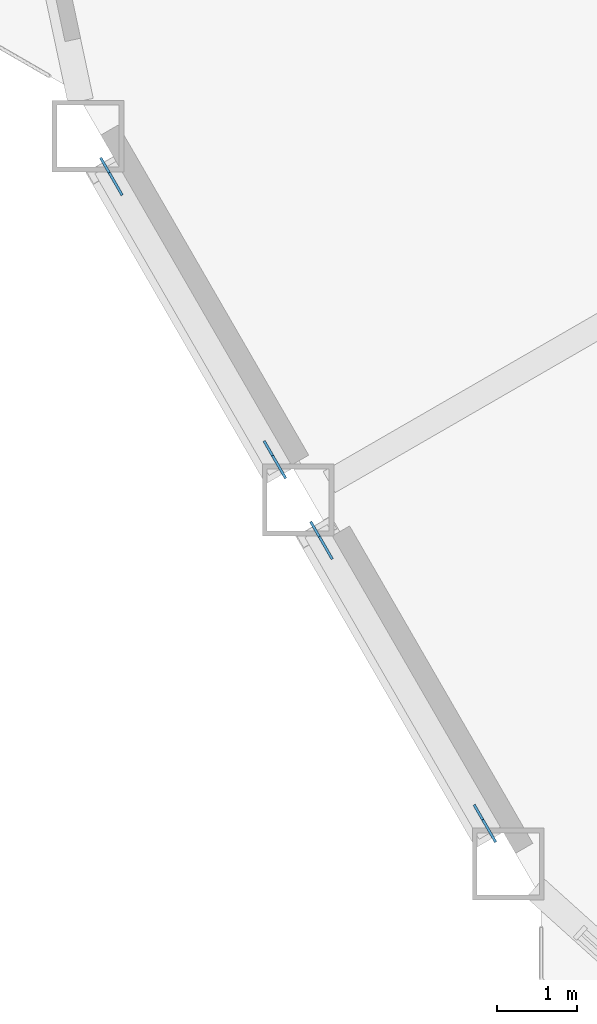
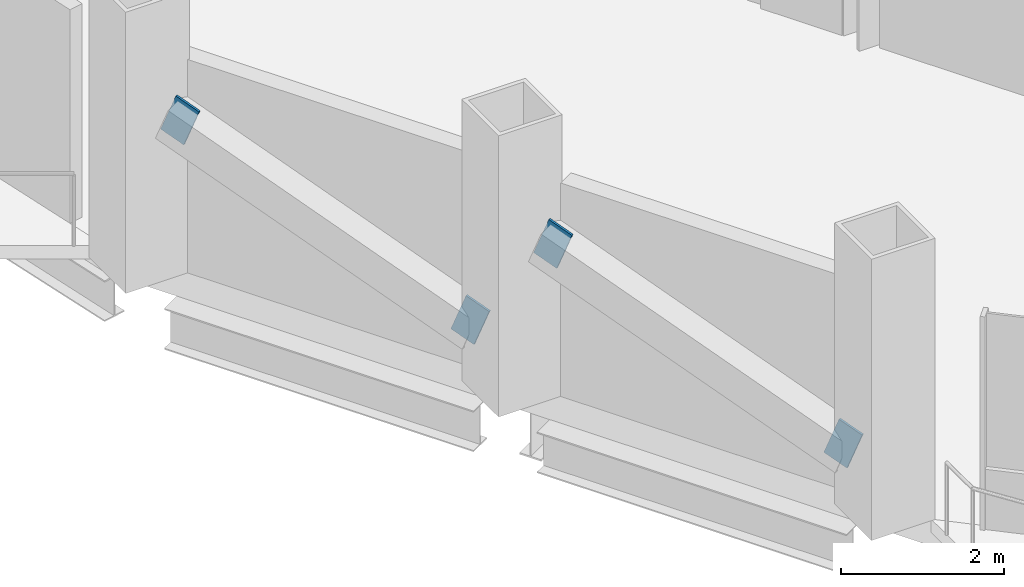
# One storey, part 14 of 21: 4 discrete accessories.
"""IFC4 building model written with IfcOpenShell, lengths in metres."""

from ifc_helpers import new_model, si_unit, direction, frame, origin, origin_2d, place, context, subcontext, project, spatial, rectangle, extrude, material, material_profile, profile_set, type_object, element, save


model = new_model("IFC4")

# Units and contexts
model_context = context("Model", 3, precision=1e-05, world=origin(), true_north=direction((0.0, 1.0)))
body_context = subcontext(model_context, "Body", "Model", "MODEL_VIEW")
ifc_project = project(units=[si_unit("LENGTHUNIT", "METRE"), si_unit("AREAUNIT", "SQUARE_METRE"), si_unit("VOLUMEUNIT", "CUBIC_METRE"), si_unit("PLANEANGLEUNIT", "RADIAN"), si_unit("MASSUNIT", "GRAM", prefix="KILO")], contexts=[model_context])

# Site, building, storey
site_placement = place(None, origin())
site = spatial("IfcSite", under=ifc_project, at=site_placement, CompositionType="ELEMENT")
building_placement = place(site_placement, origin())
building = spatial("IfcBuilding", under=site, at=building_placement, Name="Cormorant Prow Tower", CompositionType="ELEMENT")
storey_placement = place(building_placement, frame((0.0, 0.0, 116.39990234375)))
storey = spatial("IfcBuildingStorey", under=building, at=storey_placement, Name="L24", CompositionType="ELEMENT", Elevation=116.39990234375)

# Discrete accessories
ifc_material = material(Name="Structural steel ASTM A500 Gr C", Category="steel")
ifc_material_profile = material_profile(ifc_material, rectangle(XDim=0.031982421875, YDim=0.60791015625, at=origin_2d()), Name="Gusset plate 32x608")
ifc_profile_set = profile_set([ifc_material_profile], Name="Structural steel ASTM A500 Gr C")
discrete_accessory_type = type_object("IfcDiscreteAccessoryType", Name="Gusset plate 32x608", PredefinedType="BRACKET", material=ifc_profile_set)
for number, where, z_axis, x_axis, name in (
    (1, (-28.5087890625, -15.59521484375, 0.882568359375), (0.467903125124, -0.810288273314, -0.352844979601), (0.865987003449, 0.500066505434, 0.0), "Gusset plate GP1 L24.WSW00.g0"),
    (2, (-30.39501953125, -12.328125, 2.306396484375), (-0.467787927946, 0.810088781331, 0.353455260013), (-0.865987003449, -0.500066505434, 0.0), "Gusset plate GP1 L24.WSW00.g1"),
    (3, (-25.8740234375, -20.158935546875, 0.882568359375), (0.467903125124, -0.810288273314, -0.352844979601), (0.865987003449, 0.500066505434, 0.0), "Gusset plate GP1 L24.WSW01.g0"),
    (4, (-27.76025390625, -16.8916015625, 2.306396484375), (-0.468052223063, 0.809848928429, 0.35365495841), (-0.865800459427, -0.500389412813, 0.0), "Gusset plate GP1 L24.WSW01.g1"),
):
    element("IfcDiscreteAccessory", number, at=place(storey_placement, frame(where, z_axis=z_axis, x_axis=x_axis)), inside=storey, type_object=discrete_accessory_type, Name=name, PredefinedType="BRACKET", context=body_context, shape_type="SweptSolid", body=[
        extrude(rectangle(XDim=0.031982421875, YDim=0.60791015625, at=origin_2d()), origin(), (0.0, 0.0, 1.0), 0.35009765625),
    ])

save(model, "model.ifc")
